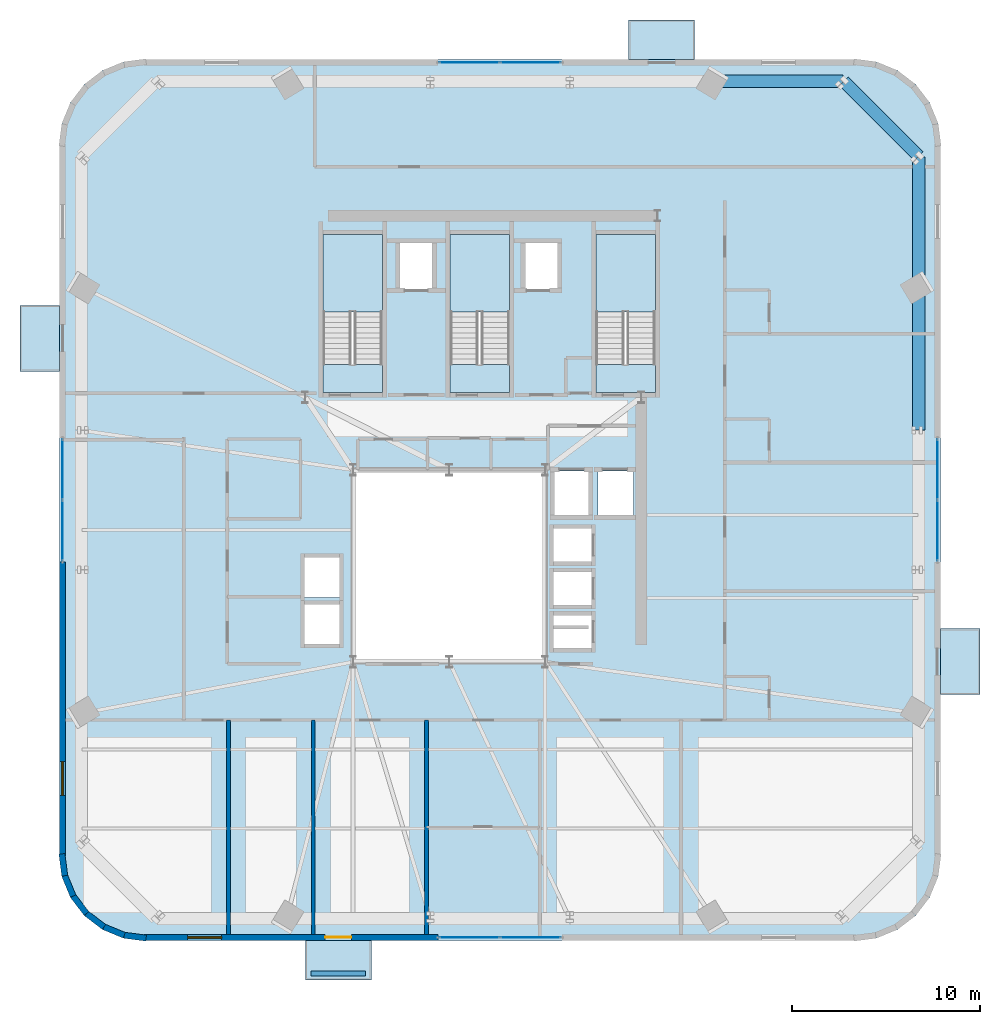
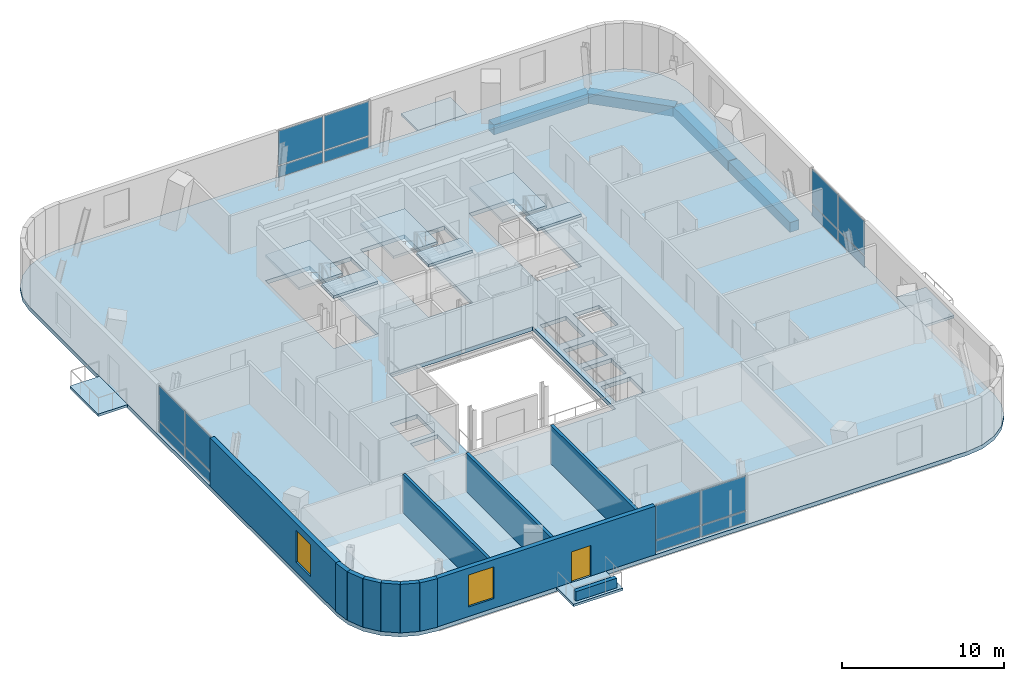
# One storey, part 6 of 12: 16 plates, 12 walls, 11 slabs, 4 beams, 2 windows, 1 door, 3 openings, 7 elements without a shape of their own.
"""IFC4 building model written with IfcOpenShell, lengths in metres."""

from ifc_helpers import new_model, si_unit, direction, frame, frame_2d, origin, origin_2d, place, context, subcontext, project, spatial, polyline, rectangle, outline, extrude, source, transform, mapped, material, layer, layer_set, material_profile, profile_set, type_object, element, fill, aggregate, save


model = new_model("IFC4")

# Units and contexts
model_context = context("Model", 3, precision=1e-05, world=origin(), true_north=direction((0.0, 1.0)))
body_context = subcontext(model_context, "Body", "Model", "MODEL_VIEW")
ifc_project = project(units=[si_unit("LENGTHUNIT", "METRE"), si_unit("AREAUNIT", "SQUARE_METRE"), si_unit("VOLUMEUNIT", "CUBIC_METRE"), si_unit("PLANEANGLEUNIT", "RADIAN"), si_unit("MASSUNIT", "GRAM", prefix="KILO")], contexts=[model_context])

# Site, building, storey
site_placement = place(None, origin())
site = spatial("IfcSite", under=ifc_project, at=site_placement, CompositionType="ELEMENT")
building_placement = place(site_placement, origin())
building = spatial("IfcBuilding", under=site, at=building_placement, Name="Vardaveli Station Tower", CompositionType="ELEMENT")
storey_placement = place(building_placement, frame((0.0, 0.0, 254.550048828125)))
storey = spatial("IfcBuildingStorey", under=building, at=storey_placement, Name="L65", CompositionType="ELEMENT", Elevation=254.550048828125)

# Beams
ifc_material_1 = material(Name="Precast concrete C45/55", Category="concrete")
ifc_material_profile = material_profile(ifc_material_1, rectangle(XDim=0.64990234375, YDim=0.75, at=origin_2d()), Name="LPB 650x750")
ifc_profile_set = profile_set([ifc_material_profile], Name="Precast concrete C45/55")
beam_type = type_object("IfcBeamType", Name="BM-LPB-750", PredefinedType="BEAM", material=ifc_profile_set)
shared_shape_1 = source(origin(), body_context, "Body", "SweptSolid", [
    extrude(rectangle(XDim=0.64990234375, YDim=0.75, at=origin_2d()), origin(), (0.0, 0.0, 1.0), 7.60009765625),
])
beam_1_placement = place(storey_placement, frame((61.25, 28.919921875, -0.675048828125), z_axis=(0.0, 1.0, 0.0), x_axis=(-1.0, 0.0, 0.0)))
element("IfcBeam", 1, at=beam_1_placement, inside=storey, type_object=beam_type, Name="RBM-L65-09", PredefinedType="BEAM", context=body_context, shape_type="MappedRepresentation", body=[
    mapped(shared_shape_1, transform((0.0, 0.0, 0.0), scale=1.0)),
])
shared_shape_2 = source(origin(), body_context, "Body", "SweptSolid", [
    extrude(rectangle(XDim=0.64990234375, YDim=0.75, at=origin_2d()), origin(), (0.0, 0.0, 1.0), 6.869873046875),
])
for number, where, z_axis, x_axis, name in (
    (2, (61.25, 36.56005859375, -0.675048828125), (0.0, 1.0, 0.0), (-1.0, 0.0, 0.0), "RBM-L65-10"),
    (3, (57.22998046875, 47.449951171875, -0.675048828125), (-1.0, 0.0, 0.0), (0.0, -1.0, 0.0), "RBM-L65-12"),
):
    element("IfcBeam", number, at=place(storey_placement, frame(where, z_axis=z_axis, x_axis=x_axis)), inside=storey, type_object=beam_type, Name=name, PredefinedType="BEAM", context=body_context, shape_type="MappedRepresentation", body=[
        mapped(shared_shape_2, transform((0.0, 0.0, 0.0), scale=1.0)),
    ])
shared_shape_3 = source(origin(), body_context, "Body", "SweptSolid", [
    extrude(rectangle(XDim=0.64990234375, YDim=0.75, at=origin_2d()), origin(), (0.0, 0.0, 1.0), 5.61669921875),
])
beam_2_placement = place(storey_placement, frame((61.23583984375, 43.464111328125, -0.675048828125), z_axis=(-0.707106781187, 0.707106781187, 0.0), x_axis=(-0.707106781187, -0.707106781187, 0.0)))
element("IfcBeam", 4, at=beam_2_placement, inside=storey, type_object=beam_type, Name="RBM-L65-11", PredefinedType="BEAM", context=body_context, shape_type="MappedRepresentation", body=[
    mapped(shared_shape_3, transform((0.0, 0.0, 0.0), scale=1.0)),
])

# Stair, slabs
ifc_material_2 = material(Name="Concrete C40/50", Category="concrete")
stair_type = type_object("IfcStairType", Name="STR-CORE-1500", PredefinedType="HALF_TURN_STAIR", material=ifc_material_2)
stair_1_placement = place(storey_placement, origin())
stair_1 = element("IfcStair", 5, at=stair_1_placement, inside=storey, type_object=stair_type, Name="L65 ST-1", PredefinedType="HALF_TURN_STAIR")
ifc_layer_1 = layer(ifc_material_2, 0.199951171875, Name="Concrete C40/50")
ifc_layer_set_1 = layer_set([ifc_layer_1], Name="Concrete C40/50")
slab_type_1 = type_object("IfcSlabType", Name="SLB-LAND-200", PredefinedType="LANDING", material=ifc_layer_set_1)
slab_1_placement = place(storey_placement, frame((0.0, 0.0, 1.77490234375)))
slab_1 = element("IfcSlab", 6, at=slab_1_placement, type_object=slab_type_1, Name="ST-1 landing 1", PredefinedType="LANDING", context=body_context, shape_type="SweptSolid", body=[
    extrude(outline(polyline([(32.75, 35.199951171875), (32.75, 39.300048828125), (29.60009765625, 39.300048828125), (29.60009765625, 35.199951171875), (32.75, 35.199951171875)])), origin(), (0.0, 0.0, 1.0), 0.199951171875),
])
slab_2_placement = place(storey_placement, frame((0.0, 0.0, 3.75)))
slab_2 = element("IfcSlab", 7, at=slab_2_placement, type_object=slab_type_1, Name="ST-1 landing 2", PredefinedType="LANDING", context=body_context, shape_type="SweptSolid", body=[
    extrude(outline(polyline([(32.75, 30.89990234375), (32.75, 32.39990234375), (29.60009765625, 32.39990234375), (29.60009765625, 30.89990234375), (32.75, 30.89990234375)])), origin(), (0.0, 0.0, 1.0), 0.199951171875),
])
aggregate(stair_1, [slab_1, slab_2])

stair_2_placement = place(storey_placement, origin())
stair_2 = element("IfcStair", 8, at=stair_2_placement, inside=storey, type_object=stair_type, Name="L65 ST-2", PredefinedType="HALF_TURN_STAIR")
slab_3_placement = place(storey_placement, frame((0.0, 0.0, 1.77490234375)))
slab_3 = element("IfcSlab", 9, at=slab_3_placement, type_object=slab_type_1, Name="ST-2 landing 1", PredefinedType="LANDING", context=body_context, shape_type="SweptSolid", body=[
    extrude(outline(polyline([(39.5, 35.199951171875), (39.5, 39.300048828125), (36.35009765625, 39.300048828125), (36.35009765625, 35.199951171875), (39.5, 35.199951171875)])), origin(), (0.0, 0.0, 1.0), 0.199951171875),
])
slab_4_placement = place(storey_placement, frame((0.0, 0.0, 3.75)))
slab_4 = element("IfcSlab", 10, at=slab_4_placement, type_object=slab_type_1, Name="ST-2 landing 2", PredefinedType="LANDING", context=body_context, shape_type="SweptSolid", body=[
    extrude(outline(polyline([(39.5, 30.89990234375), (39.5, 32.39990234375), (36.35009765625, 32.39990234375), (36.35009765625, 30.89990234375), (39.5, 30.89990234375)])), origin(), (0.0, 0.0, 1.0), 0.199951171875),
])
aggregate(stair_2, [slab_3, slab_4])

stair_3_placement = place(storey_placement, origin())
stair_3 = element("IfcStair", 11, at=stair_3_placement, inside=storey, type_object=stair_type, Name="L65 ST-3", PredefinedType="HALF_TURN_STAIR")
slab_5_placement = place(storey_placement, frame((0.0, 0.0, 1.77490234375)))
slab_5 = element("IfcSlab", 12, at=slab_5_placement, type_object=slab_type_1, Name="ST-3 landing 1", PredefinedType="LANDING", context=body_context, shape_type="SweptSolid", body=[
    extrude(outline(polyline([(47.25, 35.199951171875), (47.25, 39.300048828125), (44.10009765625, 39.300048828125), (44.10009765625, 35.199951171875), (47.25, 35.199951171875)])), origin(), (0.0, 0.0, 1.0), 0.199951171875),
])
slab_6_placement = place(storey_placement, frame((0.0, 0.0, 3.75)))
slab_6 = element("IfcSlab", 13, at=slab_6_placement, type_object=slab_type_1, Name="ST-3 landing 2", PredefinedType="LANDING", context=body_context, shape_type="SweptSolid", body=[
    extrude(outline(polyline([(47.25, 30.89990234375), (47.25, 32.39990234375), (44.10009765625, 32.39990234375), (44.10009765625, 30.89990234375), (47.25, 30.89990234375)])), origin(), (0.0, 0.0, 1.0), 0.199951171875),
])
aggregate(stair_3, [slab_5, slab_6])

# Slabs
ifc_layer_2 = layer(ifc_material_1, 0.179931640625, Name="Precast concrete C45/55")
ifc_layer_set_2 = layer_set([ifc_layer_2], Name="Precast concrete C45/55")
slab_type_2 = type_object("IfcSlabType", Name="SLB-LOGGIA-180", PredefinedType="FLOOR", material=ifc_layer_set_2)
slab_7_placement = place(storey_placement, frame((0.0, 0.0, -0.179931640625)))
element("IfcSlab", 14, at=slab_7_placement, inside=storey, type_object=slab_type_2, Name="LOG-L65-S", PredefinedType="FLOOR", context=body_context, shape_type="SweptSolid", body=[
    extrude(outline(polyline([(28.660400390625, -0.300048828125), (32.160400390625, -0.300048828125), (32.160400390625, 1.800048828125), (28.660400390625, 1.800048828125), (28.660400390625, -0.300048828125)])), origin(), (0.0, 0.0, 1.0), 0.179931640625),
])
slab_8_placement = place(storey_placement, frame((0.0, 0.0, -0.179931640625)))
element("IfcSlab", 15, at=slab_8_placement, inside=storey, type_object=slab_type_2, Name="LOG-L65-N", PredefinedType="FLOOR", context=body_context, shape_type="SweptSolid", body=[
    extrude(outline(polyline([(45.839599609375, 48.60009765625), (49.339599609375, 48.60009765625), (49.339599609375, 50.699951171875), (45.839599609375, 50.699951171875), (45.839599609375, 48.60009765625)])), origin(), (0.0, 0.0, 1.0), 0.179931640625),
])
slab_9_placement = place(storey_placement, frame((0.0, 0.0, -0.179931640625)))
element("IfcSlab", 16, at=slab_9_placement, inside=storey, type_object=slab_type_2, Name="LOG-L65-W", PredefinedType="FLOOR", context=body_context, shape_type="SweptSolid", body=[
    extrude(outline(polyline([(13.5, 32.03955078125), (15.60009765625, 32.03955078125), (15.60009765625, 35.53955078125), (13.5, 35.53955078125), (13.5, 32.03955078125)])), origin(), (0.0, 0.0, 1.0), 0.179931640625),
])
slab_10_placement = place(storey_placement, frame((0.0, 0.0, -0.179931640625)))
element("IfcSlab", 17, at=slab_10_placement, inside=storey, type_object=slab_type_2, Name="LOG-L65-E", PredefinedType="FLOOR", context=body_context, shape_type="SweptSolid", body=[
    extrude(outline(polyline([(62.39990234375, 14.8603515625), (64.5, 14.8603515625), (64.5, 18.3603515625), (62.39990234375, 18.3603515625), (62.39990234375, 14.8603515625)])), origin(), (0.0, 0.0, 1.0), 0.179931640625),
])
ifc_material_3 = material(Name="Concrete C50/60", Category="concrete")
ifc_layer_3 = layer(ifc_material_3, 0.300048828125, Name="Concrete C50/60")
ifc_layer_set_3 = layer_set([ifc_layer_3], Name="Concrete C50/60")
slab_type_3 = type_object("IfcSlabType", Name="SLB-REF-300", PredefinedType="FLOOR", material=ifc_layer_set_3)
slab_11_placement = place(storey_placement, frame((0.0, 0.0, -0.300048828125)))
element("IfcSlab", 18, at=slab_11_placement, inside=storey, type_object=slab_type_3, Name="SLB-L65-MAIN", PredefinedType="FLOOR", context=body_context, shape_type="SweptSolid", body=[
    extrude(outline(polyline([(15.60009765625, 6.300048828125), (15.75341796875, 5.13525390625), (16.202880859375, 4.050048828125), (16.91796875, 3.117919921875), (17.85009765625, 2.40283203125), (18.935302734375, 1.953369140625), (20.10009765625, 1.800048828125), (57.89990234375, 1.800048828125), (59.064697265625, 1.953369140625), (60.14990234375, 2.40283203125), (61.08203125, 3.117919921875), (61.797119140625, 4.050048828125), (62.24658203125, 5.13525390625), (62.39990234375, 6.300048828125), (62.39990234375, 44.10009765625), (62.24658203125, 45.2646484375), (61.797119140625, 46.35009765625), (61.08203125, 47.281982421875), (60.14990234375, 47.9970703125), (59.064697265625, 48.44677734375), (57.89990234375, 48.60009765625), (20.10009765625, 48.60009765625), (18.935302734375, 48.44677734375), (17.85009765625, 47.9970703125), (16.91796875, 47.281982421875), (16.202880859375, 46.35009765625), (15.75341796875, 45.2646484375), (15.60009765625, 44.10009765625), (15.60009765625, 6.300048828125)]), holes=[polyline([(31.199951171875, 16.60009765625), (41.39990234375, 16.60009765625), (41.39990234375, 26.800048828125), (31.199951171875, 26.800048828125), (31.199951171875, 16.60009765625)]), polyline([(32.75, 30.89990234375), (32.75, 39.300048828125), (29.60009765625, 39.300048828125), (29.60009765625, 30.89990234375), (32.75, 30.89990234375)]), polyline([(39.5, 30.89990234375), (39.5, 39.300048828125), (36.35009765625, 39.300048828125), (36.35009765625, 30.89990234375), (39.5, 30.89990234375)]), polyline([(47.25, 30.89990234375), (47.25, 39.300048828125), (44.10009765625, 39.300048828125), (44.10009765625, 30.89990234375), (47.25, 30.89990234375)]), polyline([(33.659912109375, 36.409912109375), (35.43994140625, 36.409912109375), (35.43994140625, 38.889892578125), (33.659912109375, 38.889892578125), (33.659912109375, 36.409912109375)]), polyline([(40.31005859375, 36.409912109375), (42.090087890625, 36.409912109375), (42.090087890625, 38.889892578125), (40.31005859375, 38.889892578125), (40.31005859375, 36.409912109375)]), polyline([(41.81005859375, 21.885009765625), (43.889892578125, 21.885009765625), (43.889892578125, 23.715087890625), (41.81005859375, 23.715087890625), (41.81005859375, 21.885009765625)]), polyline([(41.81005859375, 19.5849609375), (43.889892578125, 19.5849609375), (43.889892578125, 21.4150390625), (41.81005859375, 21.4150390625), (41.81005859375, 19.5849609375)]), polyline([(41.81005859375, 17.284912109375), (43.889892578125, 17.284912109375), (43.889892578125, 19.114990234375), (41.81005859375, 19.114990234375), (41.81005859375, 17.284912109375)]), polyline([(28.5849609375, 17.510009765625), (30.514892578125, 17.510009765625), (30.514892578125, 19.68994140625), (28.5849609375, 19.68994140625), (28.5849609375, 17.510009765625)]), polyline([(28.5849609375, 20.010009765625), (30.514892578125, 20.010009765625), (30.514892578125, 22.18994140625), (28.5849609375, 22.18994140625), (28.5849609375, 20.010009765625)]), polyline([(41.860107421875, 24.360107421875), (43.739990234375, 24.360107421875), (43.739990234375, 26.739990234375), (41.860107421875, 26.739990234375), (41.860107421875, 24.360107421875)]), polyline([(44.2099609375, 24.360107421875), (46.090087890625, 24.360107421875), (46.090087890625, 26.739990234375), (44.2099609375, 26.739990234375), (44.2099609375, 24.360107421875)])]), origin(), (0.0, 0.0, 1.0), 0.300048828125),
])

# Curtain wall, plates
ifc_material_4 = material(Name="Travertine stone and solar-control glass", Category="masonry")
curtain_wall_type = type_object("IfcCurtainWallType", Name="CW-SYS-5", PredefinedType="NOTDEFINED", material=ifc_material_4)
curtain_wall_1_placement = place(storey_placement, origin())
curtain_wall_1 = element("IfcCurtainWall", 19, at=curtain_wall_1_placement, inside=storey, type_object=curtain_wall_type, Name="CW-L65-S", PredefinedType="NOTDEFINED")
ifc_material_5 = material(Name="Double-glazed low-E solar-control glass", Category="glass")
ifc_layer_4 = layer(ifc_material_5, 0.031982421875, Name="Double-glazed low-E solar-control glass")
ifc_layer_set_4 = layer_set([ifc_layer_4], Name="Double-glazed low-E solar-control glass")
plate_type = type_object("IfcPlateType", Name="CW-SYS-5-PAN", PredefinedType="CURTAIN_PANEL", material=ifc_layer_set_4)
shared_shape_4 = source(origin(), body_context, "Body", "SweptSolid", [
    extrude(rectangle(XDim=3.179931640625, YDim=0.031982421875, at=origin_2d()), origin(), (0.0, 0.0, 1.0), 0.830078125),
])
plate_1_placement = place(storey_placement, frame((37.3701171875, 1.9599609375, 0.079833984375), z_axis=(0.0, 0.0, 1.0), x_axis=(1.0, 0.0, 0.0)))
plate_1 = element("IfcPlate", 20, at=plate_1_placement, type_object=plate_type, Name="CW-5 panel 1.1", PredefinedType="CURTAIN_PANEL", context=body_context, shape_type="MappedRepresentation", body=[
    mapped(shared_shape_4, transform((0.0, 0.0, 0.0), scale=1.0)),
])
plate_2_placement = place(storey_placement, frame((40.6298828125, 1.9599609375, 0.079833984375), z_axis=(0.0, 0.0, 1.0), x_axis=(1.0, 0.0, 0.0)))
plate_2 = element("IfcPlate", 21, at=plate_2_placement, type_object=plate_type, Name="CW-5 panel 2.1", PredefinedType="CURTAIN_PANEL", context=body_context, shape_type="MappedRepresentation", body=[
    mapped(shared_shape_4, transform((0.0, 0.0, 0.0), scale=1.0)),
])

curtain_wall_2_placement = place(storey_placement, origin())
curtain_wall_2 = element("IfcCurtainWall", 22, at=curtain_wall_2_placement, inside=storey, type_object=curtain_wall_type, Name="CW-L65-N", PredefinedType="NOTDEFINED")
plate_3_placement = place(storey_placement, frame((40.6298828125, 48.43994140625, 0.079833984375), z_axis=(0.0, 0.0, 1.0), x_axis=(-1.0, 0.0, 0.0)))
plate_3 = element("IfcPlate", 23, at=plate_3_placement, type_object=plate_type, Name="CW-5 panel 1.1", PredefinedType="CURTAIN_PANEL", context=body_context, shape_type="MappedRepresentation", body=[
    mapped(shared_shape_4, transform((0.0, 0.0, 0.0), scale=1.0)),
])
plate_4_placement = place(storey_placement, frame((37.3701171875, 48.43994140625, 0.079833984375), z_axis=(0.0, 0.0, 1.0), x_axis=(-1.0, 0.0, 0.0)))
plate_4 = element("IfcPlate", 24, at=plate_4_placement, type_object=plate_type, Name="CW-5 panel 2.1", PredefinedType="CURTAIN_PANEL", context=body_context, shape_type="MappedRepresentation", body=[
    mapped(shared_shape_4, transform((0.0, 0.0, 0.0), scale=1.0)),
])

curtain_wall_3_placement = place(storey_placement, origin())
curtain_wall_3 = element("IfcCurtainWall", 25, at=curtain_wall_3_placement, inside=storey, type_object=curtain_wall_type, Name="CW-L65-W", PredefinedType="NOTDEFINED")
plate_5_placement = place(storey_placement, frame((15.760009765625, 26.830078125, 0.079833984375), z_axis=(0.0, 0.0, 1.0), x_axis=(0.0, -1.0, 0.0)))
plate_5 = element("IfcPlate", 26, at=plate_5_placement, type_object=plate_type, Name="CW-5 panel 1.1", PredefinedType="CURTAIN_PANEL", context=body_context, shape_type="MappedRepresentation", body=[
    mapped(shared_shape_4, transform((0.0, 0.0, 0.0), scale=1.0)),
])
plate_6_placement = place(storey_placement, frame((15.760009765625, 23.570068359375, 0.079833984375), z_axis=(0.0, 0.0, 1.0), x_axis=(0.0, -1.0, 0.0)))
plate_6 = element("IfcPlate", 27, at=plate_6_placement, type_object=plate_type, Name="CW-5 panel 2.1", PredefinedType="CURTAIN_PANEL", context=body_context, shape_type="MappedRepresentation", body=[
    mapped(shared_shape_4, transform((0.0, 0.0, 0.0), scale=1.0)),
])

curtain_wall_4_placement = place(storey_placement, origin())
curtain_wall_4 = element("IfcCurtainWall", 28, at=curtain_wall_4_placement, inside=storey, type_object=curtain_wall_type, Name="CW-L65-E", PredefinedType="NOTDEFINED")
plate_7_placement = place(storey_placement, frame((62.239990234375, 23.570068359375, 0.079833984375), z_axis=(0.0, 0.0, 1.0), x_axis=(0.0, 1.0, 0.0)))
plate_7 = element("IfcPlate", 29, at=plate_7_placement, type_object=plate_type, Name="CW-5 panel 1.1", PredefinedType="CURTAIN_PANEL", context=body_context, shape_type="MappedRepresentation", body=[
    mapped(shared_shape_4, transform((0.0, 0.0, 0.0), scale=1.0)),
])
plate_8_placement = place(storey_placement, frame((62.239990234375, 26.830078125, 0.079833984375), z_axis=(0.0, 0.0, 1.0), x_axis=(0.0, 1.0, 0.0)))
plate_8 = element("IfcPlate", 30, at=plate_8_placement, type_object=plate_type, Name="CW-5 panel 2.1", PredefinedType="CURTAIN_PANEL", context=body_context, shape_type="MappedRepresentation", body=[
    mapped(shared_shape_4, transform((0.0, 0.0, 0.0), scale=1.0)),
])

# Plate
shared_shape_5 = source(origin(), body_context, "Body", "SweptSolid", [
    extrude(rectangle(XDim=3.179931640625, YDim=0.031982421875, at=origin_2d()), origin(), (0.0, 0.0, 1.0), 2.580078125),
])
plate_9_placement = place(storey_placement, frame((37.3701171875, 1.9599609375, 0.989990234375), z_axis=(0.0, 0.0, 1.0), x_axis=(1.0, 0.0, 0.0)))
plate_9 = element("IfcPlate", 31, at=plate_9_placement, type_object=plate_type, Name="CW-5 panel 1.2", PredefinedType="CURTAIN_PANEL", context=body_context, shape_type="MappedRepresentation", body=[
    mapped(shared_shape_5, transform((0.0, 0.0, 0.0), scale=1.0)),
])

plate_10_placement = place(storey_placement, frame((40.6298828125, 1.9599609375, 0.989990234375), z_axis=(0.0, 0.0, 1.0), x_axis=(1.0, 0.0, 0.0)))
plate_10 = element("IfcPlate", 32, at=plate_10_placement, type_object=plate_type, Name="CW-5 panel 2.2", PredefinedType="CURTAIN_PANEL", context=body_context, shape_type="MappedRepresentation", body=[
    mapped(shared_shape_5, transform((0.0, 0.0, 0.0), scale=1.0)),
])

aggregate(curtain_wall_1, [plate_1, plate_9, plate_2, plate_10])

plate_11_placement = place(storey_placement, frame((40.6298828125, 48.43994140625, 0.989990234375), z_axis=(0.0, 0.0, 1.0), x_axis=(-1.0, 0.0, 0.0)))
plate_11 = element("IfcPlate", 33, at=plate_11_placement, type_object=plate_type, Name="CW-5 panel 1.2", PredefinedType="CURTAIN_PANEL", context=body_context, shape_type="MappedRepresentation", body=[
    mapped(shared_shape_5, transform((0.0, 0.0, 0.0), scale=1.0)),
])

plate_12_placement = place(storey_placement, frame((37.3701171875, 48.43994140625, 0.989990234375), z_axis=(0.0, 0.0, 1.0), x_axis=(-1.0, 0.0, 0.0)))
plate_12 = element("IfcPlate", 34, at=plate_12_placement, type_object=plate_type, Name="CW-5 panel 2.2", PredefinedType="CURTAIN_PANEL", context=body_context, shape_type="MappedRepresentation", body=[
    mapped(shared_shape_5, transform((0.0, 0.0, 0.0), scale=1.0)),
])

aggregate(curtain_wall_2, [plate_3, plate_11, plate_4, plate_12])

plate_13_placement = place(storey_placement, frame((15.760009765625, 26.830078125, 0.989990234375), z_axis=(0.0, 0.0, 1.0), x_axis=(0.0, -1.0, 0.0)))
plate_13 = element("IfcPlate", 35, at=plate_13_placement, type_object=plate_type, Name="CW-5 panel 1.2", PredefinedType="CURTAIN_PANEL", context=body_context, shape_type="MappedRepresentation", body=[
    mapped(shared_shape_5, transform((0.0, 0.0, 0.0), scale=1.0)),
])

plate_14_placement = place(storey_placement, frame((15.760009765625, 23.570068359375, 0.989990234375), z_axis=(0.0, 0.0, 1.0), x_axis=(0.0, -1.0, 0.0)))
plate_14 = element("IfcPlate", 36, at=plate_14_placement, type_object=plate_type, Name="CW-5 panel 2.2", PredefinedType="CURTAIN_PANEL", context=body_context, shape_type="MappedRepresentation", body=[
    mapped(shared_shape_5, transform((0.0, 0.0, 0.0), scale=1.0)),
])

aggregate(curtain_wall_3, [plate_5, plate_13, plate_6, plate_14])

plate_15_placement = place(storey_placement, frame((62.239990234375, 23.570068359375, 0.989990234375), z_axis=(0.0, 0.0, 1.0), x_axis=(0.0, 1.0, 0.0)))
plate_15 = element("IfcPlate", 37, at=plate_15_placement, type_object=plate_type, Name="CW-5 panel 1.2", PredefinedType="CURTAIN_PANEL", context=body_context, shape_type="MappedRepresentation", body=[
    mapped(shared_shape_5, transform((0.0, 0.0, 0.0), scale=1.0)),
])

plate_16_placement = place(storey_placement, frame((62.239990234375, 26.830078125, 0.989990234375), z_axis=(0.0, 0.0, 1.0), x_axis=(0.0, 1.0, 0.0)))
plate_16 = element("IfcPlate", 38, at=plate_16_placement, type_object=plate_type, Name="CW-5 panel 2.2", PredefinedType="CURTAIN_PANEL", context=body_context, shape_type="MappedRepresentation", body=[
    mapped(shared_shape_5, transform((0.0, 0.0, 0.0), scale=1.0)),
])

aggregate(curtain_wall_4, [plate_7, plate_15, plate_8, plate_16])

# Wall
ifc_layer_5 = layer(ifc_material_1, 0.280029296875, Name="Precast concrete C45/55")
ifc_layer_set_5 = layer_set([ifc_layer_5], Name="Precast concrete C45/55")
wall_type_1 = type_object("IfcWallType", Name="WAL-PARAPET-280", PredefinedType="SOLIDWALL", material=ifc_layer_set_5)
shared_shape_6 = source(origin(), body_context, "Body", "SweptSolid", [
    extrude(rectangle(XDim=2.89990234375, YDim=0.280029296875, at=frame_2d((1.449951171875, 0.0))), origin(), (0.0, 0.0, 1.0), 0.719970703125),
])
wall_1_placement = place(storey_placement, frame((28.96044921875, 0.050048828125, 0.0), z_axis=(0.0, 0.0, 1.0), x_axis=(1.0, 0.0, 0.0)))
element("IfcWall", 39, at=wall_1_placement, inside=storey, type_object=wall_type_1, Name="Terrace Travertine Planter L65", PredefinedType="SOLIDWALL", context=body_context, shape_type="MappedRepresentation", body=[
    mapped(shared_shape_6, transform((0.0, 0.0, 0.0), scale=1.0)),
])

# Wall, openings, door, window
ifc_layer_6 = layer(ifc_material_1, 0.320068359375, Name="Precast concrete C45/55")
ifc_layer_set_6 = layer_set([ifc_layer_6], Name="Precast concrete C45/55")
wall_type_2 = type_object("IfcWallType", Name="WAL-EXT-STONE-320", PredefinedType="SOLIDWALL", material=ifc_layer_set_6)
shared_shape_7 = source(origin(), body_context, "Body", "SweptSolid", [
    extrude(rectangle(XDim=15.599853515625, YDim=0.320068359375, at=frame_2d((7.7998046875, 0.0))), origin(), (0.0, 0.0, 1.0), 3.64990234375),
])
wall_2_placement = place(storey_placement, frame((20.10009765625, 1.9599609375, 0.0), z_axis=(0.0, 0.0, 1.0), x_axis=(1.0, 0.0, 0.0)))
wall_2 = element("IfcWall", 40, at=wall_2_placement, inside=storey, type_object=wall_type_2, Name="EW-L65-S1", PredefinedType="SOLIDWALL", context=body_context, shape_type="MappedRepresentation", body=[
    mapped(shared_shape_7, transform((0.0, 0.0, 0.0), scale=1.0)),
])
shared_shape_8 = source(origin(), body_context, "Body", "SweptSolid", [
    extrude(rectangle(XDim=1.39990234375, YDim=2.300048828125, at=frame_2d((0.699951171875, 1.14990234375))), frame((0.0, 0.169921875, 0.0), z_axis=(0.0, -1.0, 0.0), x_axis=(1.0, 0.0, 0.0)), (0.0, 0.0, 1.0), 0.340087890625),
])
opening_1_placement = place(wall_2_placement, frame((9.6103515625, 0.0, 0.0)))
opening_1 = element("IfcOpeningElement", 41, at=opening_1_placement, cuts=wall_2, Name="Opening D-09", PredefinedType="OPENING", context=body_context, shape_type="MappedRepresentation", body=[
    mapped(shared_shape_8, transform((0.0, 0.0, 0.0), scale=1.0)),
])
shared_shape_9 = source(origin(), body_context, "Body", "SweptSolid", [
    extrude(rectangle(XDim=1.800048828125, YDim=2.39990234375, at=frame_2d((0.89990234375, 1.199951171875))), frame((0.0, 0.169921875, 0.0), z_axis=(0.0, -1.0, 0.0), x_axis=(1.0, 0.0, 0.0)), (0.0, 0.0, 1.0), 0.340087890625),
])
opening_2_placement = place(wall_2_placement, frame((2.304931640625, 0.0, 0.719970703125)))
opening_2 = element("IfcOpeningElement", 42, at=opening_2_placement, cuts=wall_2, Name="Opening W-05", PredefinedType="OPENING", context=body_context, shape_type="MappedRepresentation", body=[
    mapped(shared_shape_9, transform((0.0, 0.0, 0.0), scale=1.0)),
])
ifc_material_6 = material(Name="Thermally broken aluminium glass", Category="aluminium")
door_type = type_object("IfcDoorType", Name="DR-LOG-1400x2300", OperationType="DOUBLE_DOOR_SLIDING", PredefinedType="DOOR", material=ifc_material_6)
shared_shape_10 = source(origin(), body_context, "Body", "SweptSolid", [
    extrude(rectangle(XDim=1.39990234375, YDim=2.300048828125, at=frame_2d((0.699951171875, 1.14990234375))), frame((0.0, 0.02490234375, 0.0), z_axis=(0.0, -1.0, 0.0), x_axis=(1.0, 0.0, 0.0)), (0.0, 0.0, 1.0), 0.050048828125),
])
door_placement = place(opening_1_placement, frame((1.39990234375, 0.0, 0.0), z_axis=(0.0, 0.0, 1.0), x_axis=(-1.0, 0.0, 0.0)))
door = element("IfcDoor", 43, at=door_placement, inside=storey, type_object=door_type, Name="DLG-L65-S", OperationType="DOUBLE_DOOR_SLIDING", OverallHeight=2.300048828125, OverallWidth=1.39990234375, PredefinedType="DOOR", context=body_context, shape_type="MappedRepresentation", body=[
    mapped(shared_shape_10, transform((0.0, 0.0, 0.0), scale=1.0)),
])
fill(opening_1, door)
ifc_material_7 = material(Name="Low-E solar-control glass", Category="glass")
window_type = type_object("IfcWindowType", Name="WIN-HIGH-1800x2400", PartitioningType="SINGLE_PANEL", PredefinedType="WINDOW", material=ifc_material_7)
shared_shape_11 = source(origin(), body_context, "Body", "SweptSolid", [
    extrude(rectangle(XDim=1.800048828125, YDim=2.39990234375, at=frame_2d((0.89990234375, 1.199951171875))), frame((0.0, 0.030029296875, 0.0), z_axis=(0.0, -1.0, 0.0), x_axis=(1.0, 0.0, 0.0)), (0.0, 0.0, 1.0), 0.06005859375),
])
window_1_placement = place(opening_2_placement, origin())
window_1 = element("IfcWindow", 44, at=window_1_placement, inside=storey, type_object=window_type, Name="WN-L65-S1", OverallHeight=2.39990234375, OverallWidth=1.800048828125, PartitioningType="SINGLE_PANEL", PredefinedType="WINDOW", context=body_context, shape_type="MappedRepresentation", body=[
    mapped(shared_shape_11, transform((0.0, 0.0, 0.0), scale=1.0)),
])
fill(opening_2, window_1)

# Wall, opening, window
wall_3_placement = place(storey_placement, frame((15.760009765625, 21.89990234375, 0.0), z_axis=(0.0, 0.0, 1.0), x_axis=(0.0, -1.0, 0.0)))
wall_3 = element("IfcWall", 45, at=wall_3_placement, inside=storey, type_object=wall_type_2, Name="EW-L65-W2", PredefinedType="SOLIDWALL", context=body_context, shape_type="MappedRepresentation", body=[
    mapped(shared_shape_7, transform((0.0, 0.0, 0.0), scale=1.0)),
])
opening_3_placement = place(wall_3_placement, frame((10.594970703125, 0.0, 0.719970703125)))
opening_3 = element("IfcOpeningElement", 46, at=opening_3_placement, cuts=wall_3, Name="Opening W-05", PredefinedType="OPENING", context=body_context, shape_type="MappedRepresentation", body=[
    mapped(shared_shape_9, transform((0.0, 0.0, 0.0), scale=1.0)),
])
window_2_placement = place(opening_3_placement, origin())
window_2 = element("IfcWindow", 47, at=window_2_placement, inside=storey, type_object=window_type, Name="WN-L65-W2", OverallHeight=2.39990234375, OverallWidth=1.800048828125, PartitioningType="SINGLE_PANEL", PredefinedType="WINDOW", context=body_context, shape_type="MappedRepresentation", body=[
    mapped(shared_shape_11, transform((0.0, 0.0, 0.0), scale=1.0)),
])
fill(opening_3, window_2)

# Walls
shared_shape_12 = source(origin(), body_context, "Body", "SweptSolid", [
    extrude(rectangle(XDim=1.170654296875, YDim=0.320068359375, at=frame_2d((0.58544921875, 0.0))), origin(), (0.0, 0.0, 1.0), 3.64990234375),
])
wall_4_placement = place(storey_placement, frame((15.724365234375, 6.400634765625, 0.0), z_axis=(0.0, 0.0, 1.0), x_axis=(0.128269133229, -0.991739395941, 0.0)))
element("IfcWall", 48, at=wall_4_placement, inside=storey, type_object=wall_type_2, Name="EW-L65-CR1-1", PredefinedType="SOLIDWALL", context=body_context, shape_type="MappedRepresentation", body=[
    mapped(shared_shape_12, transform((0.0, 0.0, 0.0), scale=1.0)),
])
shared_shape_13 = source(origin(), body_context, "Body", "SweptSolid", [
    extrude(rectangle(XDim=1.1689453125, YDim=0.320068359375, at=frame_2d((0.58447265625, 0.0))), origin(), (0.0, 0.0, 1.0), 3.64990234375),
])
for number, where, z_axis, x_axis, name in (
    (49, (15.87451171875, 5.23974609375, 0.0), (0.0, 0.0, 1.0), (0.381127904695, -0.924522320046, 0.0), "EW-L65-CR1-2"),
    (50, (16.320068359375, 4.158935546875, 0.0), (0.0, 0.0, 1.0), (0.608387696831, -0.793639975269, 0.0), "EW-L65-CR1-3"),
):
    element("IfcWall", number, at=place(storey_placement, frame(where, z_axis=z_axis, x_axis=x_axis)), inside=storey, type_object=wall_type_2, Name=name, PredefinedType="SOLIDWALL", context=body_context, shape_type="MappedRepresentation", body=[
        mapped(shared_shape_13, transform((0.0, 0.0, 0.0), scale=1.0)),
    ])
shared_shape_14 = source(origin(), body_context, "Body", "SweptSolid", [
    extrude(rectangle(XDim=1.168701171875, YDim=0.320068359375, at=frame_2d((0.58447265625, 0.0))), origin(), (0.0, 0.0, 1.0), 3.64990234375),
])
wall_5_placement = place(storey_placement, frame((17.03125, 3.231201171875, 0.0), z_axis=(0.0, 0.0, 1.0), x_axis=(0.793663520347, -0.608356981114, 0.0)))
element("IfcWall", 51, at=wall_5_placement, inside=storey, type_object=wall_type_2, Name="EW-L65-CR1-4", PredefinedType="SOLIDWALL", context=body_context, shape_type="MappedRepresentation", body=[
    mapped(shared_shape_14, transform((0.0, 0.0, 0.0), scale=1.0)),
])
shared_shape_15 = source(origin(), body_context, "Body", "SweptSolid", [
    extrude(rectangle(XDim=1.16943359375, YDim=0.320068359375, at=frame_2d((0.584716796875, 0.0))), origin(), (0.0, 0.0, 1.0), 3.64990234375),
])
wall_6_placement = place(storey_placement, frame((17.958740234375, 2.520263671875, 0.0), z_axis=(0.0, 0.0, 1.0), x_axis=(0.924479075121, -0.381232789334, 0.0)))
element("IfcWall", 52, at=wall_6_placement, inside=storey, type_object=wall_type_2, Name="EW-L65-CR1-5", PredefinedType="SOLIDWALL", context=body_context, shape_type="MappedRepresentation", body=[
    mapped(shared_shape_15, transform((0.0, 0.0, 0.0), scale=1.0)),
])
shared_shape_16 = source(origin(), body_context, "Body", "SweptSolid", [
    extrude(rectangle(XDim=1.170166015625, YDim=0.320068359375, at=frame_2d((0.5849609375, 0.0))), origin(), (0.0, 0.0, 1.0), 3.64990234375),
])
wall_7_placement = place(storey_placement, frame((19.039794921875, 2.074462890625, 0.0), z_axis=(0.0, 0.0, 1.0), x_axis=(0.991762485493, -0.128090485085, 0.0)))
element("IfcWall", 53, at=wall_7_placement, inside=storey, type_object=wall_type_2, Name="EW-L65-CR1-6", PredefinedType="SOLIDWALL", context=body_context, shape_type="MappedRepresentation", body=[
    mapped(shared_shape_16, transform((0.0, 0.0, 0.0), scale=1.0)),
])
ifc_material_8 = material(Name="Acoustic twin-stud gypsum partition")
ifc_layer_7 = layer(ifc_material_8, 0.199951171875, Name="Acoustic twin-stud gypsum partition")
ifc_layer_set_7 = layer_set([ifc_layer_7], Name="Acoustic twin-stud gypsum partition")
wall_type_3 = type_object("IfcWallType", Name="WAL-PARTY-200", PredefinedType="PARTITIONING", material=ifc_layer_set_7)
shared_shape_17 = source(origin(), body_context, "Body", "SweptSolid", [
    extrude(rectangle(XDim=11.387939453125, YDim=0.199951171875, at=frame_2d((5.69384765625, 0.0))), origin(), (0.0, 0.0, 1.0), 2.891845703125),
])
for number, where, z_axis, x_axis, name in (
    (54, (24.570068359375, 2.1220703125, 0.0), (0.0, 0.0, 1.0), (0.0, 1.0, 0.0), "W-L65-PS1"),
    (55, (29.08203125, 2.1220703125, 0.0), (0.0, 0.0, 1.0), (0.0, 1.0, 0.0), "W-L65-PS2"),
    (56, (35.094970703125, 2.1220703125, 0.0), (0.0, 0.0, 1.0), (0.0, 1.0, 0.0), "W-L65-PS3"),
):
    element("IfcWall", number, at=place(storey_placement, frame(where, z_axis=z_axis, x_axis=x_axis)), inside=storey, type_object=wall_type_3, Name=name, PredefinedType="PARTITIONING", context=body_context, shape_type="MappedRepresentation", body=[
        mapped(shared_shape_17, transform((0.0, 0.0, 0.0), scale=1.0)),
    ])

save(model, "model.ifc")
